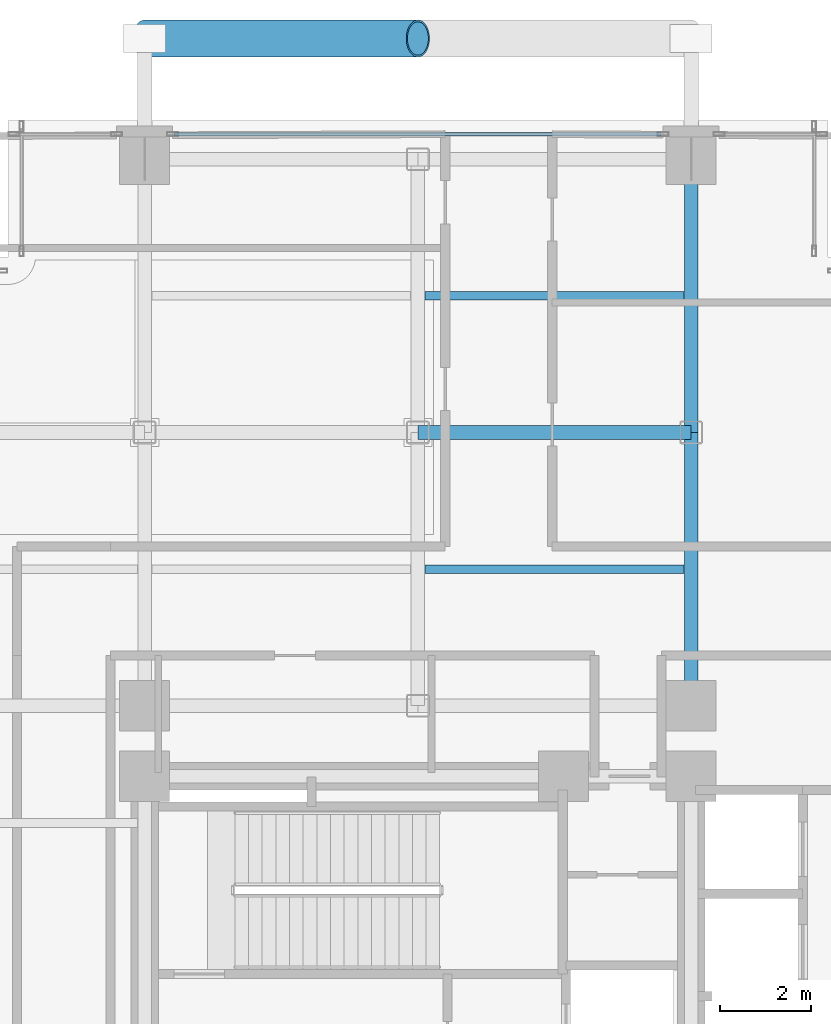
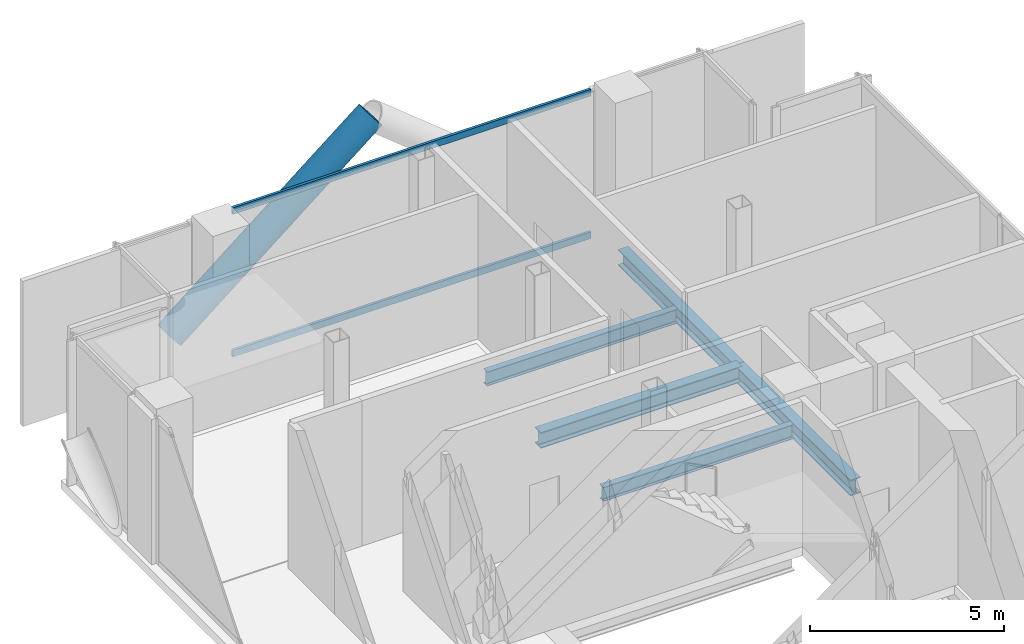
# One storey, part 13 of 25: 5 beams, 3 members, 1 element without a shape of its own.
"""IFC4 building model written with IfcOpenShell, lengths in metres."""

from ifc_helpers import new_model, si_unit, direction, frame, origin, origin_2d, place, context, subcontext, project, spatial, hollow_rectangle, hollow_circle, i_section, extrude, material, layer, layer_set, material_profile, profile_set, type_object, element, aggregate, save


model = new_model("IFC4")

# Units and contexts
model_context = context("Model", 3, precision=1e-05, world=origin(), true_north=direction((0.0, 1.0)))
body_context = subcontext(model_context, "Body", "Model", "MODEL_VIEW")
ifc_project = project(units=[si_unit("LENGTHUNIT", "METRE"), si_unit("AREAUNIT", "SQUARE_METRE"), si_unit("VOLUMEUNIT", "CUBIC_METRE"), si_unit("PLANEANGLEUNIT", "RADIAN"), si_unit("MASSUNIT", "GRAM", prefix="KILO"), si_unit("THERMODYNAMICTEMPERATUREUNIT", "KELVIN"), si_unit("POWERUNIT", "WATT")], contexts=[model_context])

# Site, building, storey
site_placement = place(None, origin())
site = spatial("IfcSite", under=ifc_project, at=site_placement, CompositionType="ELEMENT")
building_placement = place(site_placement, origin())
building = spatial("IfcBuilding", under=site, at=building_placement, Name="Svarakhadi Broadcast Tower", CompositionType="ELEMENT")
storey_placement = place(building_placement, frame((0.0, 0.0, 110.85009765625)))
storey = spatial("IfcBuildingStorey", under=building, at=storey_placement, Name="L26", CompositionType="ELEMENT", Elevation=110.85009765625)

# Beams
ifc_material_1 = material(Name="Steel S355J2 (IS 2062 E350C)", Category="steel")
ifc_material_profile_1 = material_profile(ifc_material_1, i_section(OverallWidth=0.18994140625, OverallDepth=0.449951171875, WebThickness=0.009521484375, FlangeThickness=0.0146484375, FilletRadius=0.02099609375, at=origin_2d()), Name="NPB 450x190x78")
ifc_profile_set_1 = profile_set([ifc_material_profile_1], Name="Steel S355J2 (IS 2062 E350C)")
beam_type_1 = type_object("IfcBeamType", Name="Beam_NPB450", PredefinedType="BEAM", material=ifc_profile_set_1)
for number, where, z_axis, x_axis, name in (
    (1, (12.159912109375, 32.14990234375, -0.5), (1.0, 0.0, 0.0), (0.0, 1.0, 0.0), "L26 Secondary Composite Beam SB014"),
    (2, (12.159912109375, 38.14990234375, -0.5), (1.0, 0.0, 0.0), (0.0, 1.0, 0.0), "L26 Secondary Composite Beam SB015"),
):
    element("IfcBeam", number, at=place(storey_placement, frame(where, z_axis=z_axis, x_axis=x_axis)), inside=storey, type_object=beam_type_1, Name=name, PredefinedType="BEAM", context=body_context, shape_type="SweptSolid", body=[
        extrude(i_section(OverallWidth=0.18994140625, OverallDepth=0.449951171875, WebThickness=0.009521484375, FlangeThickness=0.0146484375, FilletRadius=0.02099609375, at=origin_2d()), origin(), (0.0, 0.0, 1.0), 5.68017578125),
    ])

# Curtain wall, members
ifc_material_2 = material(Name="Anodised Bronze Aluminium AA 6063-T6", Category="aluminium")
ifc_layer = layer(ifc_material_2, 0.239990234375)
ifc_layer_set = layer_set([ifc_layer], Name="Anodised Bronze Aluminium AA 6063-T6")
curtain_wall_type = type_object("IfcCurtainWallType", Name="CW_Sys_06", PredefinedType="NOTDEFINED", material=ifc_layer_set)
curtain_wall_placement = place(storey_placement, origin())
curtain_wall = element("IfcCurtainWall", 3, at=curtain_wall_placement, inside=storey, type_object=curtain_wall_type, Name="L26 Unitised Facade Curtain Wall 06 Bay 2", PredefinedType="NOTDEFINED")
ifc_material_profile_2 = material_profile(ifc_material_2, hollow_rectangle(XDim=0.080078125, YDim=0.2099609375, WallThickness=0.0048828125, at=origin_2d()), Name="ALU TRANSOM 210x80x5")
ifc_profile_set_2 = profile_set([ifc_material_profile_2], Name="Anodised Bronze Aluminium AA 6063-T6")
member_type_1 = type_object("IfcMemberType", Name="CW_Sys_06_Trn", PredefinedType="USERDEFINED", material=ifc_profile_set_2)
member_1_placement = place(storey_placement, frame((6.659912109375, 41.699951171875, 0.039794921875), z_axis=(1.0, 0.0, 0.0), x_axis=(0.0, 1.0, 0.0)))
member_1 = element("IfcMember", 4, at=member_1_placement, type_object=member_type_1, Name="CW-06 transom 1.1", ObjectType="TRANSOM", PredefinedType="USERDEFINED", context=body_context, shape_type="SweptSolid", body=[
    extrude(hollow_rectangle(XDim=0.080078125, YDim=0.2099609375, WallThickness=0.0048828125, at=origin_2d()), origin(), (0.0, 0.0, 1.0), 10.68017578125),
])
member_2_placement = place(storey_placement, frame((6.659912109375, 41.699951171875, 4.534912109375), z_axis=(1.0, 0.0, 0.0), x_axis=(0.0, 1.0, 0.0)))
member_2 = element("IfcMember", 5, at=member_2_placement, type_object=member_type_1, Name="CW-06 transom 1.2", ObjectType="TRANSOM", PredefinedType="USERDEFINED", context=body_context, shape_type="SweptSolid", body=[
    extrude(hollow_rectangle(XDim=0.080078125, YDim=0.2099609375, WallThickness=0.0048828125, at=origin_2d()), origin(), (0.0, 0.0, 1.0), 10.68017578125),
])
aggregate(curtain_wall, [member_1, member_2])

# Member
ifc_material_3 = material(Name="Steel S460ML (IS 2062 E450BR)", Category="steel")
ifc_material_profile_3 = material_profile(ifc_material_3, hollow_circle(Radius=0.406494140625, WallThickness=0.0400390625, at=origin_2d()), Name="CHS 813x40")
ifc_profile_set_3 = profile_set([ifc_material_profile_3], Name="Steel S460ML (IS 2062 E450BR)")
member_type_2 = type_object("IfcMemberType", Name="Exo_Brace_CHS813", PredefinedType="BRACE", material=ifc_profile_set_3)
member_3_placement = place(storey_placement, frame((6.0, 43.800048828125, -0.43701171875), z_axis=(0.777706721002, 0.0, 0.628627279163), x_axis=(0.0, 1.0, 0.0)))
element("IfcMember", 6, at=member_3_placement, inside=storey, type_object=member_type_2, Name="L26 Exposed Bronze Exoskeleton Diagonal N08", PredefinedType="BRACE", context=body_context, shape_type="SweptSolid", body=[
    extrude(hollow_circle(Radius=0.406494140625, WallThickness=0.0400390625, at=origin_2d()), origin(), (0.0, 0.0, 1.0), 7.715087890625),
])

# Beams
ifc_material_profile_4 = material_profile(ifc_material_1, i_section(OverallWidth=0.300048828125, OverallDepth=0.5, WebThickness=0.014404296875, FlangeThickness=0.028076171875, FilletRadius=0.027099609375, at=origin_2d()), Name="WPB 500x300x187")
ifc_profile_set_4 = profile_set([ifc_material_profile_4], Name="Steel S355J2 (IS 2062 E350C)")
beam_type_2 = type_object("IfcBeamType", Name="Girder_WPB500", PredefinedType="USERDEFINED", material=ifc_profile_set_4)
for number, where, z_axis, x_axis, name in (
    (7, (12.0, 35.14990234375, -0.525146484375), (1.0, 0.0, 0.0), (0.0, 1.0, 0.0), "L26 Primary E-W Girder G037"),
    (8, (18.0, 29.14990234375, -0.525146484375), (0.0, 1.0, 0.0), (-1.0, 0.0, 0.0), "L26 Primary N-S Girder G060"),
    (9, (18.0, 35.14990234375, -0.525146484375), (0.0, 1.0, 0.0), (-1.0, 0.0, 0.0), "L26 Primary N-S Girder G061"),
):
    element("IfcBeam", number, at=place(storey_placement, frame(where, z_axis=z_axis, x_axis=x_axis)), inside=storey, type_object=beam_type_2, Name=name, ObjectType="GIRDER", PredefinedType="USERDEFINED", context=body_context, shape_type="SweptSolid", body=[
        extrude(i_section(OverallWidth=0.300048828125, OverallDepth=0.5, WebThickness=0.014404296875, FlangeThickness=0.028076171875, FilletRadius=0.027099609375, at=origin_2d()), origin(), (0.0, 0.0, 1.0), 6.0),
    ])

save(model, "model.ifc")
